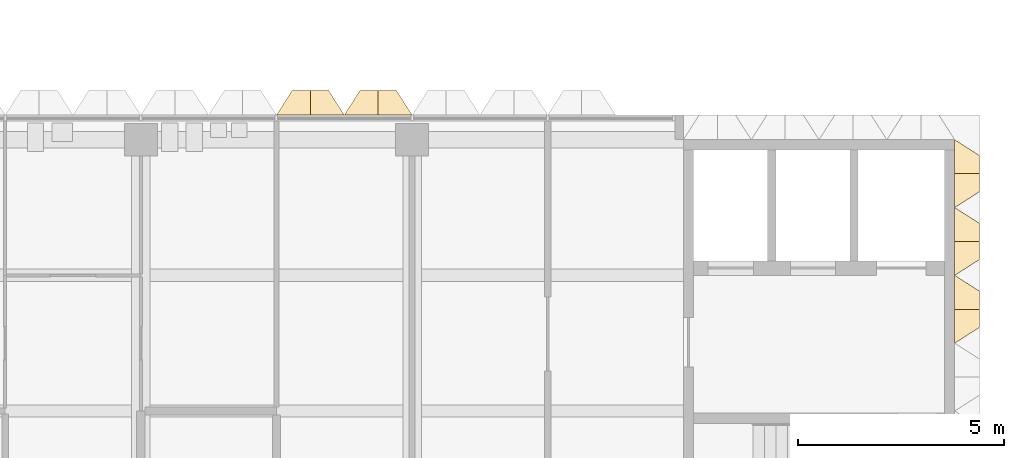
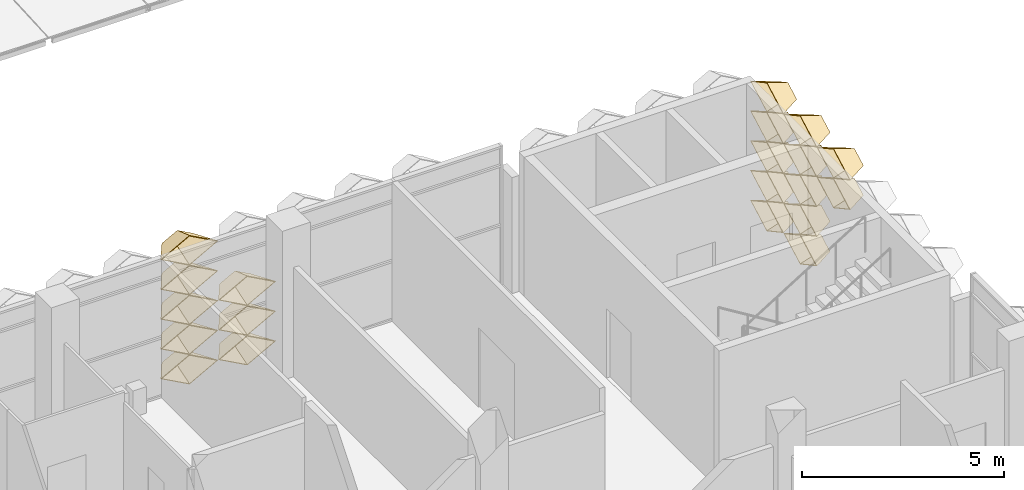
# One storey, part 55 of 61: 20 coverings.
"""IFC4 building model written with IfcOpenShell, lengths in metres."""

from ifc_helpers import new_model, entity, si_unit, direction, frame, origin, place, context, subcontext, project, spatial, material, layer, layer_set, type_object, element, save


model = new_model("IFC4")

# Units and contexts
model_context = context("Model", 3, precision=1e-05, world=origin(), true_north=direction((0.0, 1.0)))
body_context = subcontext(model_context, "Body", "Model", "MODEL_VIEW")
ifc_project = project(units=[si_unit("LENGTHUNIT", "METRE"), si_unit("AREAUNIT", "SQUARE_METRE"), si_unit("VOLUMEUNIT", "CUBIC_METRE"), si_unit("PLANEANGLEUNIT", "RADIAN"), si_unit("MASSUNIT", "GRAM", prefix="KILO")], contexts=[model_context])

# Site, building, storey
site_placement = place(None, origin())
site = spatial("IfcSite", under=ifc_project, at=site_placement, CompositionType="ELEMENT")
building_placement = place(site_placement, origin())
building = spatial("IfcBuilding", under=site, at=building_placement, Name="Lantern Court Research Institute", CompositionType="ELEMENT")
storey_placement = place(building_placement, frame((0.0, 0.0, 23.39990234375)))
storey = spatial("IfcBuildingStorey", under=building, at=storey_placement, Name="L05", CompositionType="ELEMENT", Elevation=23.39990234375)

# Coverings
ifc_material = material(Name="Anodised aluminium", Category="aluminium")
ifc_layer = layer(ifc_material, 0.01611328125)
ifc_layer_set = layer_set([ifc_layer], Name="Anodised aluminium")
covering_type = type_object("IfcCoveringType", Name="Fin cassette 1650 x 900 x 600 aluminium", PredefinedType="CLADDING", material=ifc_layer_set)
covering_1_placement = place(storey_placement, frame((79.199951171875, 20.625, 0.4501953125), z_axis=(1.0, 0.0, 0.0), x_axis=(0.0, 1.0, 0.0)))
cartesian_point_1 = entity("IfcCartesianPoint", [0.824951171875, 0.0])
cartesian_point_2 = entity("IfcCartesianPoint", [0.79150390625, 0.0])
cartesian_point_3 = entity("IfcCartesianPoint", [0.44189453125, 0.0])
cartesian_point_4 = entity("IfcCartesianPoint", [0.43359375, 0.0])
element("IfcCovering", 1, at=covering_1_placement, inside=storey, type_object=covering_type, Name="Fin cassette V5E-L05 1.13", PredefinedType="CLADDING", context=body_context, shape_type="SweptSolid", body=[
    entity("IfcExtrudedAreaSolidTapered", entity("IfcArbitraryProfileDefWithVoids", "AREA", None, entity("IfcPolyline", [cartesian_point_1, entity("IfcCartesianPoint", [0.0, 0.449951171875]), entity("IfcCartesianPoint", [-0.824951171875, 0.0]), entity("IfcCartesianPoint", [0.0, -0.449951171875]), cartesian_point_1]), [entity("IfcPolyline", [cartesian_point_2, entity("IfcCartesianPoint", [0.0, 0.431884765625]), entity("IfcCartesianPoint", [-0.79150390625, 0.0]), entity("IfcCartesianPoint", [0.0, -0.431884765625]), cartesian_point_2])]), entity("IfcAxis2Placement3D", entity("IfcCartesianPoint", [0.0, 0.0, 0.0])), entity("IfcDirection", [0.0, 0.0, 1.0]), 0.60009765625, entity("IfcArbitraryProfileDefWithVoids", "AREA", None, entity("IfcPolyline", [cartesian_point_3, entity("IfcCartesianPoint", [0.0, 0.240966796875]), entity("IfcCartesianPoint", [-0.44189453125, 0.0]), entity("IfcCartesianPoint", [0.0, -0.240966796875]), cartesian_point_3]), [entity("IfcPolyline", [cartesian_point_4, entity("IfcCartesianPoint", [0.0, 0.236572265625]), entity("IfcCartesianPoint", [-0.43359375, 0.0]), entity("IfcCartesianPoint", [0.0, -0.236572265625]), cartesian_point_4])])),
])
covering_2_placement = place(storey_placement, frame((79.199951171875, 22.27490234375, 0.4501953125), z_axis=(1.0, 0.0, 0.0), x_axis=(0.0, 1.0, 0.0)))
cartesian_point_5 = entity("IfcCartesianPoint", [0.824951171875, 0.0])
cartesian_point_6 = entity("IfcCartesianPoint", [0.79150390625, 0.0])
cartesian_point_7 = entity("IfcCartesianPoint", [0.44189453125, 0.0])
cartesian_point_8 = entity("IfcCartesianPoint", [0.43359375, 0.0])
element("IfcCovering", 2, at=covering_2_placement, inside=storey, type_object=covering_type, Name="Fin cassette V5E-L05 1.14", PredefinedType="CLADDING", context=body_context, shape_type="SweptSolid", body=[
    entity("IfcExtrudedAreaSolidTapered", entity("IfcArbitraryProfileDefWithVoids", "AREA", None, entity("IfcPolyline", [cartesian_point_5, entity("IfcCartesianPoint", [0.0, 0.449951171875]), entity("IfcCartesianPoint", [-0.824951171875, 0.0]), entity("IfcCartesianPoint", [0.0, -0.449951171875]), cartesian_point_5]), [entity("IfcPolyline", [cartesian_point_6, entity("IfcCartesianPoint", [0.0, 0.431884765625]), entity("IfcCartesianPoint", [-0.79150390625, 0.0]), entity("IfcCartesianPoint", [0.0, -0.431884765625]), cartesian_point_6])]), entity("IfcAxis2Placement3D", entity("IfcCartesianPoint", [0.0, 0.0, 0.0])), entity("IfcDirection", [0.0, 0.0, 1.0]), 0.60009765625, entity("IfcArbitraryProfileDefWithVoids", "AREA", None, entity("IfcPolyline", [cartesian_point_7, entity("IfcCartesianPoint", [0.0, 0.240966796875]), entity("IfcCartesianPoint", [-0.44189453125, 0.0]), entity("IfcCartesianPoint", [0.0, -0.240966796875]), cartesian_point_7]), [entity("IfcPolyline", [cartesian_point_8, entity("IfcCartesianPoint", [0.0, 0.236572265625]), entity("IfcCartesianPoint", [-0.43359375, 0.0]), entity("IfcCartesianPoint", [0.0, -0.236572265625]), cartesian_point_8])])),
])
covering_3_placement = place(storey_placement, frame((79.199951171875, 20.625, 1.35009765625), z_axis=(1.0, 0.0, 0.0), x_axis=(0.0, 1.0, 0.0)))
cartesian_point_9 = entity("IfcCartesianPoint", [0.824951171875, 0.0])
cartesian_point_10 = entity("IfcCartesianPoint", [0.79150390625, 0.0])
cartesian_point_11 = entity("IfcCartesianPoint", [0.44189453125, 0.0])
cartesian_point_12 = entity("IfcCartesianPoint", [0.43359375, 0.0])
element("IfcCovering", 3, at=covering_3_placement, inside=storey, type_object=covering_type, Name="Fin cassette V5E-L05 2.13", PredefinedType="CLADDING", context=body_context, shape_type="SweptSolid", body=[
    entity("IfcExtrudedAreaSolidTapered", entity("IfcArbitraryProfileDefWithVoids", "AREA", None, entity("IfcPolyline", [cartesian_point_9, entity("IfcCartesianPoint", [0.0, 0.449951171875]), entity("IfcCartesianPoint", [-0.824951171875, 0.0]), entity("IfcCartesianPoint", [0.0, -0.449951171875]), cartesian_point_9]), [entity("IfcPolyline", [cartesian_point_10, entity("IfcCartesianPoint", [0.0, 0.431884765625]), entity("IfcCartesianPoint", [-0.79150390625, 0.0]), entity("IfcCartesianPoint", [0.0, -0.431884765625]), cartesian_point_10])]), entity("IfcAxis2Placement3D", entity("IfcCartesianPoint", [0.0, 0.0, 0.0])), entity("IfcDirection", [0.0, 0.0, 1.0]), 0.60009765625, entity("IfcArbitraryProfileDefWithVoids", "AREA", None, entity("IfcPolyline", [cartesian_point_11, entity("IfcCartesianPoint", [0.0, 0.240966796875]), entity("IfcCartesianPoint", [-0.44189453125, 0.0]), entity("IfcCartesianPoint", [0.0, -0.240966796875]), cartesian_point_11]), [entity("IfcPolyline", [cartesian_point_12, entity("IfcCartesianPoint", [0.0, 0.236572265625]), entity("IfcCartesianPoint", [-0.43359375, 0.0]), entity("IfcCartesianPoint", [0.0, -0.236572265625]), cartesian_point_12])])),
])
covering_4_placement = place(storey_placement, frame((79.199951171875, 22.27490234375, 1.35009765625), z_axis=(1.0, 0.0, 0.0), x_axis=(0.0, 1.0, 0.0)))
cartesian_point_13 = entity("IfcCartesianPoint", [0.824951171875, 0.0])
cartesian_point_14 = entity("IfcCartesianPoint", [0.79150390625, 0.0])
cartesian_point_15 = entity("IfcCartesianPoint", [0.44189453125, 0.0])
cartesian_point_16 = entity("IfcCartesianPoint", [0.43359375, 0.0])
element("IfcCovering", 4, at=covering_4_placement, inside=storey, type_object=covering_type, Name="Fin cassette V5E-L05 2.14", PredefinedType="CLADDING", context=body_context, shape_type="SweptSolid", body=[
    entity("IfcExtrudedAreaSolidTapered", entity("IfcArbitraryProfileDefWithVoids", "AREA", None, entity("IfcPolyline", [cartesian_point_13, entity("IfcCartesianPoint", [0.0, 0.449951171875]), entity("IfcCartesianPoint", [-0.824951171875, 0.0]), entity("IfcCartesianPoint", [0.0, -0.449951171875]), cartesian_point_13]), [entity("IfcPolyline", [cartesian_point_14, entity("IfcCartesianPoint", [0.0, 0.431884765625]), entity("IfcCartesianPoint", [-0.79150390625, 0.0]), entity("IfcCartesianPoint", [0.0, -0.431884765625]), cartesian_point_14])]), entity("IfcAxis2Placement3D", entity("IfcCartesianPoint", [0.0, 0.0, 0.0])), entity("IfcDirection", [0.0, 0.0, 1.0]), 0.60009765625, entity("IfcArbitraryProfileDefWithVoids", "AREA", None, entity("IfcPolyline", [cartesian_point_15, entity("IfcCartesianPoint", [0.0, 0.240966796875]), entity("IfcCartesianPoint", [-0.44189453125, 0.0]), entity("IfcCartesianPoint", [0.0, -0.240966796875]), cartesian_point_15]), [entity("IfcPolyline", [cartesian_point_16, entity("IfcCartesianPoint", [0.0, 0.236572265625]), entity("IfcCartesianPoint", [-0.43359375, 0.0]), entity("IfcCartesianPoint", [0.0, -0.236572265625]), cartesian_point_16])])),
])
covering_5_placement = place(storey_placement, frame((79.199951171875, 20.625, 2.25), z_axis=(1.0, 0.0, 0.0), x_axis=(0.0, 1.0, 0.0)))
cartesian_point_17 = entity("IfcCartesianPoint", [0.824951171875, 0.0])
cartesian_point_18 = entity("IfcCartesianPoint", [0.79150390625, 0.0])
cartesian_point_19 = entity("IfcCartesianPoint", [0.44189453125, 0.0])
cartesian_point_20 = entity("IfcCartesianPoint", [0.43359375, 0.0])
element("IfcCovering", 5, at=covering_5_placement, inside=storey, type_object=covering_type, Name="Fin cassette V5E-L05 3.13", PredefinedType="CLADDING", context=body_context, shape_type="SweptSolid", body=[
    entity("IfcExtrudedAreaSolidTapered", entity("IfcArbitraryProfileDefWithVoids", "AREA", None, entity("IfcPolyline", [cartesian_point_17, entity("IfcCartesianPoint", [0.0, 0.449951171875]), entity("IfcCartesianPoint", [-0.824951171875, 0.0]), entity("IfcCartesianPoint", [0.0, -0.449951171875]), cartesian_point_17]), [entity("IfcPolyline", [cartesian_point_18, entity("IfcCartesianPoint", [0.0, 0.431884765625]), entity("IfcCartesianPoint", [-0.79150390625, 0.0]), entity("IfcCartesianPoint", [0.0, -0.431884765625]), cartesian_point_18])]), entity("IfcAxis2Placement3D", entity("IfcCartesianPoint", [0.0, 0.0, 0.0])), entity("IfcDirection", [0.0, 0.0, 1.0]), 0.60009765625, entity("IfcArbitraryProfileDefWithVoids", "AREA", None, entity("IfcPolyline", [cartesian_point_19, entity("IfcCartesianPoint", [0.0, 0.240966796875]), entity("IfcCartesianPoint", [-0.44189453125, 0.0]), entity("IfcCartesianPoint", [0.0, -0.240966796875]), cartesian_point_19]), [entity("IfcPolyline", [cartesian_point_20, entity("IfcCartesianPoint", [0.0, 0.236572265625]), entity("IfcCartesianPoint", [-0.43359375, 0.0]), entity("IfcCartesianPoint", [0.0, -0.236572265625]), cartesian_point_20])])),
])
covering_6_placement = place(storey_placement, frame((79.199951171875, 22.27490234375, 2.25), z_axis=(1.0, 0.0, 0.0), x_axis=(0.0, 1.0, 0.0)))
cartesian_point_21 = entity("IfcCartesianPoint", [0.824951171875, 0.0])
cartesian_point_22 = entity("IfcCartesianPoint", [0.79150390625, 0.0])
cartesian_point_23 = entity("IfcCartesianPoint", [0.44189453125, 0.0])
cartesian_point_24 = entity("IfcCartesianPoint", [0.43359375, 0.0])
element("IfcCovering", 6, at=covering_6_placement, inside=storey, type_object=covering_type, Name="Fin cassette V5E-L05 3.14", PredefinedType="CLADDING", context=body_context, shape_type="SweptSolid", body=[
    entity("IfcExtrudedAreaSolidTapered", entity("IfcArbitraryProfileDefWithVoids", "AREA", None, entity("IfcPolyline", [cartesian_point_21, entity("IfcCartesianPoint", [0.0, 0.449951171875]), entity("IfcCartesianPoint", [-0.824951171875, 0.0]), entity("IfcCartesianPoint", [0.0, -0.449951171875]), cartesian_point_21]), [entity("IfcPolyline", [cartesian_point_22, entity("IfcCartesianPoint", [0.0, 0.431884765625]), entity("IfcCartesianPoint", [-0.79150390625, 0.0]), entity("IfcCartesianPoint", [0.0, -0.431884765625]), cartesian_point_22])]), entity("IfcAxis2Placement3D", entity("IfcCartesianPoint", [0.0, 0.0, 0.0])), entity("IfcDirection", [0.0, 0.0, 1.0]), 0.60009765625, entity("IfcArbitraryProfileDefWithVoids", "AREA", None, entity("IfcPolyline", [cartesian_point_23, entity("IfcCartesianPoint", [0.0, 0.240966796875]), entity("IfcCartesianPoint", [-0.44189453125, 0.0]), entity("IfcCartesianPoint", [0.0, -0.240966796875]), cartesian_point_23]), [entity("IfcPolyline", [cartesian_point_24, entity("IfcCartesianPoint", [0.0, 0.236572265625]), entity("IfcCartesianPoint", [-0.43359375, 0.0]), entity("IfcCartesianPoint", [0.0, -0.236572265625]), cartesian_point_24])])),
])
covering_7_placement = place(storey_placement, frame((79.199951171875, 18.97509765625, 3.150146484375), z_axis=(1.0, 0.0, 0.0), x_axis=(0.0, 1.0, 0.0)))
cartesian_point_25 = entity("IfcCartesianPoint", [0.824951171875, 0.0])
cartesian_point_26 = entity("IfcCartesianPoint", [0.79150390625, 0.0])
cartesian_point_27 = entity("IfcCartesianPoint", [0.44189453125, 0.0])
cartesian_point_28 = entity("IfcCartesianPoint", [0.43359375, 0.0])
element("IfcCovering", 7, at=covering_7_placement, inside=storey, type_object=covering_type, Name="Fin cassette V5E-L05 4.12", PredefinedType="CLADDING", context=body_context, shape_type="SweptSolid", body=[
    entity("IfcExtrudedAreaSolidTapered", entity("IfcArbitraryProfileDefWithVoids", "AREA", None, entity("IfcPolyline", [cartesian_point_25, entity("IfcCartesianPoint", [0.0, 0.449951171875]), entity("IfcCartesianPoint", [-0.824951171875, 0.0]), entity("IfcCartesianPoint", [0.0, -0.449951171875]), cartesian_point_25]), [entity("IfcPolyline", [cartesian_point_26, entity("IfcCartesianPoint", [0.0, 0.431884765625]), entity("IfcCartesianPoint", [-0.79150390625, 0.0]), entity("IfcCartesianPoint", [0.0, -0.431884765625]), cartesian_point_26])]), entity("IfcAxis2Placement3D", entity("IfcCartesianPoint", [0.0, 0.0, 0.0])), entity("IfcDirection", [0.0, 0.0, 1.0]), 0.60009765625, entity("IfcArbitraryProfileDefWithVoids", "AREA", None, entity("IfcPolyline", [cartesian_point_27, entity("IfcCartesianPoint", [0.0, 0.240966796875]), entity("IfcCartesianPoint", [-0.44189453125, 0.0]), entity("IfcCartesianPoint", [0.0, -0.240966796875]), cartesian_point_27]), [entity("IfcPolyline", [cartesian_point_28, entity("IfcCartesianPoint", [0.0, 0.236572265625]), entity("IfcCartesianPoint", [-0.43359375, 0.0]), entity("IfcCartesianPoint", [0.0, -0.236572265625]), cartesian_point_28])])),
])
covering_8_placement = place(storey_placement, frame((79.199951171875, 20.625, 3.150146484375), z_axis=(1.0, 0.0, 0.0), x_axis=(0.0, 1.0, 0.0)))
cartesian_point_29 = entity("IfcCartesianPoint", [0.824951171875, 0.0])
cartesian_point_30 = entity("IfcCartesianPoint", [0.79150390625, 0.0])
cartesian_point_31 = entity("IfcCartesianPoint", [0.44189453125, 0.0])
cartesian_point_32 = entity("IfcCartesianPoint", [0.43359375, 0.0])
element("IfcCovering", 8, at=covering_8_placement, inside=storey, type_object=covering_type, Name="Fin cassette V5E-L05 4.13", PredefinedType="CLADDING", context=body_context, shape_type="SweptSolid", body=[
    entity("IfcExtrudedAreaSolidTapered", entity("IfcArbitraryProfileDefWithVoids", "AREA", None, entity("IfcPolyline", [cartesian_point_29, entity("IfcCartesianPoint", [0.0, 0.449951171875]), entity("IfcCartesianPoint", [-0.824951171875, 0.0]), entity("IfcCartesianPoint", [0.0, -0.449951171875]), cartesian_point_29]), [entity("IfcPolyline", [cartesian_point_30, entity("IfcCartesianPoint", [0.0, 0.431884765625]), entity("IfcCartesianPoint", [-0.79150390625, 0.0]), entity("IfcCartesianPoint", [0.0, -0.431884765625]), cartesian_point_30])]), entity("IfcAxis2Placement3D", entity("IfcCartesianPoint", [0.0, 0.0, 0.0])), entity("IfcDirection", [0.0, 0.0, 1.0]), 0.60009765625, entity("IfcArbitraryProfileDefWithVoids", "AREA", None, entity("IfcPolyline", [cartesian_point_31, entity("IfcCartesianPoint", [0.0, 0.240966796875]), entity("IfcCartesianPoint", [-0.44189453125, 0.0]), entity("IfcCartesianPoint", [0.0, -0.240966796875]), cartesian_point_31]), [entity("IfcPolyline", [cartesian_point_32, entity("IfcCartesianPoint", [0.0, 0.236572265625]), entity("IfcCartesianPoint", [-0.43359375, 0.0]), entity("IfcCartesianPoint", [0.0, -0.236572265625]), cartesian_point_32])])),
])
covering_9_placement = place(storey_placement, frame((79.199951171875, 22.27490234375, 3.150146484375), z_axis=(1.0, 0.0, 0.0), x_axis=(0.0, 1.0, 0.0)))
cartesian_point_33 = entity("IfcCartesianPoint", [0.824951171875, 0.0])
cartesian_point_34 = entity("IfcCartesianPoint", [0.79150390625, 0.0])
cartesian_point_35 = entity("IfcCartesianPoint", [0.44189453125, 0.0])
cartesian_point_36 = entity("IfcCartesianPoint", [0.43359375, 0.0])
element("IfcCovering", 9, at=covering_9_placement, inside=storey, type_object=covering_type, Name="Fin cassette V5E-L05 4.14", PredefinedType="CLADDING", context=body_context, shape_type="SweptSolid", body=[
    entity("IfcExtrudedAreaSolidTapered", entity("IfcArbitraryProfileDefWithVoids", "AREA", None, entity("IfcPolyline", [cartesian_point_33, entity("IfcCartesianPoint", [0.0, 0.449951171875]), entity("IfcCartesianPoint", [-0.824951171875, 0.0]), entity("IfcCartesianPoint", [0.0, -0.449951171875]), cartesian_point_33]), [entity("IfcPolyline", [cartesian_point_34, entity("IfcCartesianPoint", [0.0, 0.431884765625]), entity("IfcCartesianPoint", [-0.79150390625, 0.0]), entity("IfcCartesianPoint", [0.0, -0.431884765625]), cartesian_point_34])]), entity("IfcAxis2Placement3D", entity("IfcCartesianPoint", [0.0, 0.0, 0.0])), entity("IfcDirection", [0.0, 0.0, 1.0]), 0.60009765625, entity("IfcArbitraryProfileDefWithVoids", "AREA", None, entity("IfcPolyline", [cartesian_point_35, entity("IfcCartesianPoint", [0.0, 0.240966796875]), entity("IfcCartesianPoint", [-0.44189453125, 0.0]), entity("IfcCartesianPoint", [0.0, -0.240966796875]), cartesian_point_35]), [entity("IfcPolyline", [cartesian_point_36, entity("IfcCartesianPoint", [0.0, 0.236572265625]), entity("IfcCartesianPoint", [-0.43359375, 0.0]), entity("IfcCartesianPoint", [0.0, -0.236572265625]), cartesian_point_36])])),
])
covering_10_placement = place(storey_placement, frame((79.199951171875, 18.97509765625, 4.050048828125), z_axis=(1.0, 0.0, 0.0), x_axis=(0.0, 1.0, 0.0)))
cartesian_point_37 = entity("IfcCartesianPoint", [0.824951171875, 0.0])
cartesian_point_38 = entity("IfcCartesianPoint", [0.79150390625, 0.0])
cartesian_point_39 = entity("IfcCartesianPoint", [0.44189453125, 0.0])
cartesian_point_40 = entity("IfcCartesianPoint", [0.43359375, 0.0])
element("IfcCovering", 10, at=covering_10_placement, inside=storey, type_object=covering_type, Name="Fin cassette V5E-L05 5.12", PredefinedType="CLADDING", context=body_context, shape_type="SweptSolid", body=[
    entity("IfcExtrudedAreaSolidTapered", entity("IfcArbitraryProfileDefWithVoids", "AREA", None, entity("IfcPolyline", [cartesian_point_37, entity("IfcCartesianPoint", [0.0, 0.449951171875]), entity("IfcCartesianPoint", [-0.824951171875, 0.0]), entity("IfcCartesianPoint", [0.0, -0.449951171875]), cartesian_point_37]), [entity("IfcPolyline", [cartesian_point_38, entity("IfcCartesianPoint", [0.0, 0.431884765625]), entity("IfcCartesianPoint", [-0.79150390625, 0.0]), entity("IfcCartesianPoint", [0.0, -0.431884765625]), cartesian_point_38])]), entity("IfcAxis2Placement3D", entity("IfcCartesianPoint", [0.0, 0.0, 0.0])), entity("IfcDirection", [0.0, 0.0, 1.0]), 0.60009765625, entity("IfcArbitraryProfileDefWithVoids", "AREA", None, entity("IfcPolyline", [cartesian_point_39, entity("IfcCartesianPoint", [0.0, 0.240966796875]), entity("IfcCartesianPoint", [-0.44189453125, 0.0]), entity("IfcCartesianPoint", [0.0, -0.240966796875]), cartesian_point_39]), [entity("IfcPolyline", [cartesian_point_40, entity("IfcCartesianPoint", [0.0, 0.236572265625]), entity("IfcCartesianPoint", [-0.43359375, 0.0]), entity("IfcCartesianPoint", [0.0, -0.236572265625]), cartesian_point_40])])),
])
covering_11_placement = place(storey_placement, frame((79.199951171875, 20.625, 4.050048828125), z_axis=(1.0, 0.0, 0.0), x_axis=(0.0, 1.0, 0.0)))
cartesian_point_41 = entity("IfcCartesianPoint", [0.824951171875, 0.0])
cartesian_point_42 = entity("IfcCartesianPoint", [0.79150390625, 0.0])
cartesian_point_43 = entity("IfcCartesianPoint", [0.44189453125, 0.0])
cartesian_point_44 = entity("IfcCartesianPoint", [0.43359375, 0.0])
element("IfcCovering", 11, at=covering_11_placement, inside=storey, type_object=covering_type, Name="Fin cassette V5E-L05 5.13", PredefinedType="CLADDING", context=body_context, shape_type="SweptSolid", body=[
    entity("IfcExtrudedAreaSolidTapered", entity("IfcArbitraryProfileDefWithVoids", "AREA", None, entity("IfcPolyline", [cartesian_point_41, entity("IfcCartesianPoint", [0.0, 0.449951171875]), entity("IfcCartesianPoint", [-0.824951171875, 0.0]), entity("IfcCartesianPoint", [0.0, -0.449951171875]), cartesian_point_41]), [entity("IfcPolyline", [cartesian_point_42, entity("IfcCartesianPoint", [0.0, 0.431884765625]), entity("IfcCartesianPoint", [-0.79150390625, 0.0]), entity("IfcCartesianPoint", [0.0, -0.431884765625]), cartesian_point_42])]), entity("IfcAxis2Placement3D", entity("IfcCartesianPoint", [0.0, 0.0, 0.0])), entity("IfcDirection", [0.0, 0.0, 1.0]), 0.60009765625, entity("IfcArbitraryProfileDefWithVoids", "AREA", None, entity("IfcPolyline", [cartesian_point_43, entity("IfcCartesianPoint", [0.0, 0.240966796875]), entity("IfcCartesianPoint", [-0.44189453125, 0.0]), entity("IfcCartesianPoint", [0.0, -0.240966796875]), cartesian_point_43]), [entity("IfcPolyline", [cartesian_point_44, entity("IfcCartesianPoint", [0.0, 0.236572265625]), entity("IfcCartesianPoint", [-0.43359375, 0.0]), entity("IfcCartesianPoint", [0.0, -0.236572265625]), cartesian_point_44])])),
])
covering_12_placement = place(storey_placement, frame((79.199951171875, 22.27490234375, 4.050048828125), z_axis=(1.0, 0.0, 0.0), x_axis=(0.0, 1.0, 0.0)))
cartesian_point_45 = entity("IfcCartesianPoint", [0.824951171875, 0.0])
cartesian_point_46 = entity("IfcCartesianPoint", [0.79150390625, 0.0])
cartesian_point_47 = entity("IfcCartesianPoint", [0.44189453125, 0.0])
cartesian_point_48 = entity("IfcCartesianPoint", [0.43359375, 0.0])
element("IfcCovering", 12, at=covering_12_placement, inside=storey, type_object=covering_type, Name="Fin cassette V5E-L05 5.14", PredefinedType="CLADDING", context=body_context, shape_type="SweptSolid", body=[
    entity("IfcExtrudedAreaSolidTapered", entity("IfcArbitraryProfileDefWithVoids", "AREA", None, entity("IfcPolyline", [cartesian_point_45, entity("IfcCartesianPoint", [0.0, 0.449951171875]), entity("IfcCartesianPoint", [-0.824951171875, 0.0]), entity("IfcCartesianPoint", [0.0, -0.449951171875]), cartesian_point_45]), [entity("IfcPolyline", [cartesian_point_46, entity("IfcCartesianPoint", [0.0, 0.431884765625]), entity("IfcCartesianPoint", [-0.79150390625, 0.0]), entity("IfcCartesianPoint", [0.0, -0.431884765625]), cartesian_point_46])]), entity("IfcAxis2Placement3D", entity("IfcCartesianPoint", [0.0, 0.0, 0.0])), entity("IfcDirection", [0.0, 0.0, 1.0]), 0.60009765625, entity("IfcArbitraryProfileDefWithVoids", "AREA", None, entity("IfcPolyline", [cartesian_point_47, entity("IfcCartesianPoint", [0.0, 0.240966796875]), entity("IfcCartesianPoint", [-0.44189453125, 0.0]), entity("IfcCartesianPoint", [0.0, -0.240966796875]), cartesian_point_47]), [entity("IfcPolyline", [cartesian_point_48, entity("IfcCartesianPoint", [0.0, 0.236572265625]), entity("IfcCartesianPoint", [-0.43359375, 0.0]), entity("IfcCartesianPoint", [0.0, -0.236572265625]), cartesian_point_48])])),
])
covering_13_placement = place(storey_placement, frame((63.52490234375, 23.699951171875, 0.4501953125), z_axis=(0.0, 1.0, 0.0), x_axis=(-1.0, 0.0, 0.0)))
cartesian_point_49 = entity("IfcCartesianPoint", [0.824951171875, 0.0])
cartesian_point_50 = entity("IfcCartesianPoint", [0.79150390625, 0.0])
cartesian_point_51 = entity("IfcCartesianPoint", [0.44189453125, 0.0])
cartesian_point_52 = entity("IfcCartesianPoint", [0.43359375, 0.0])
element("IfcCovering", 13, at=covering_13_placement, inside=storey, type_object=covering_type, Name="Fin cassette V5N-L05 1.39", PredefinedType="CLADDING", context=body_context, shape_type="SweptSolid", body=[
    entity("IfcExtrudedAreaSolidTapered", entity("IfcArbitraryProfileDefWithVoids", "AREA", None, entity("IfcPolyline", [cartesian_point_49, entity("IfcCartesianPoint", [0.0, 0.449951171875]), entity("IfcCartesianPoint", [-0.824951171875, 0.0]), entity("IfcCartesianPoint", [0.0, -0.449951171875]), cartesian_point_49]), [entity("IfcPolyline", [cartesian_point_50, entity("IfcCartesianPoint", [0.0, 0.431884765625]), entity("IfcCartesianPoint", [-0.79150390625, 0.0]), entity("IfcCartesianPoint", [0.0, -0.431884765625]), cartesian_point_50])]), entity("IfcAxis2Placement3D", entity("IfcCartesianPoint", [0.0, 0.0, 0.0])), entity("IfcDirection", [0.0, 0.0, 1.0]), 0.60009765625, entity("IfcArbitraryProfileDefWithVoids", "AREA", None, entity("IfcPolyline", [cartesian_point_51, entity("IfcCartesianPoint", [0.0, 0.240966796875]), entity("IfcCartesianPoint", [-0.44189453125, 0.0]), entity("IfcCartesianPoint", [0.0, -0.240966796875]), cartesian_point_51]), [entity("IfcPolyline", [cartesian_point_52, entity("IfcCartesianPoint", [0.0, 0.236572265625]), entity("IfcCartesianPoint", [-0.43359375, 0.0]), entity("IfcCartesianPoint", [0.0, -0.236572265625]), cartesian_point_52])])),
])
covering_14_placement = place(storey_placement, frame((65.175048828125, 23.699951171875, 0.4501953125), z_axis=(0.0, 1.0, 0.0), x_axis=(-1.0, 0.0, 0.0)))
cartesian_point_53 = entity("IfcCartesianPoint", [0.824951171875, 0.0])
cartesian_point_54 = entity("IfcCartesianPoint", [0.79150390625, 0.0])
cartesian_point_55 = entity("IfcCartesianPoint", [0.44189453125, 0.0])
cartesian_point_56 = entity("IfcCartesianPoint", [0.43359375, 0.0])
element("IfcCovering", 14, at=covering_14_placement, inside=storey, type_object=covering_type, Name="Fin cassette V5N-L05 1.40", PredefinedType="CLADDING", context=body_context, shape_type="SweptSolid", body=[
    entity("IfcExtrudedAreaSolidTapered", entity("IfcArbitraryProfileDefWithVoids", "AREA", None, entity("IfcPolyline", [cartesian_point_53, entity("IfcCartesianPoint", [0.0, 0.449951171875]), entity("IfcCartesianPoint", [-0.824951171875, 0.0]), entity("IfcCartesianPoint", [0.0, -0.449951171875]), cartesian_point_53]), [entity("IfcPolyline", [cartesian_point_54, entity("IfcCartesianPoint", [0.0, 0.431884765625]), entity("IfcCartesianPoint", [-0.79150390625, 0.0]), entity("IfcCartesianPoint", [0.0, -0.431884765625]), cartesian_point_54])]), entity("IfcAxis2Placement3D", entity("IfcCartesianPoint", [0.0, 0.0, 0.0])), entity("IfcDirection", [0.0, 0.0, 1.0]), 0.60009765625, entity("IfcArbitraryProfileDefWithVoids", "AREA", None, entity("IfcPolyline", [cartesian_point_55, entity("IfcCartesianPoint", [0.0, 0.240966796875]), entity("IfcCartesianPoint", [-0.44189453125, 0.0]), entity("IfcCartesianPoint", [0.0, -0.240966796875]), cartesian_point_55]), [entity("IfcPolyline", [cartesian_point_56, entity("IfcCartesianPoint", [0.0, 0.236572265625]), entity("IfcCartesianPoint", [-0.43359375, 0.0]), entity("IfcCartesianPoint", [0.0, -0.236572265625]), cartesian_point_56])])),
])
covering_15_placement = place(storey_placement, frame((63.52490234375, 23.699951171875, 1.35009765625), z_axis=(0.0, 1.0, 0.0), x_axis=(-1.0, 0.0, 0.0)))
cartesian_point_57 = entity("IfcCartesianPoint", [0.824951171875, 0.0])
cartesian_point_58 = entity("IfcCartesianPoint", [0.79150390625, 0.0])
cartesian_point_59 = entity("IfcCartesianPoint", [0.44189453125, 0.0])
cartesian_point_60 = entity("IfcCartesianPoint", [0.43359375, 0.0])
element("IfcCovering", 15, at=covering_15_placement, inside=storey, type_object=covering_type, Name="Fin cassette V5N-L05 2.39", PredefinedType="CLADDING", context=body_context, shape_type="SweptSolid", body=[
    entity("IfcExtrudedAreaSolidTapered", entity("IfcArbitraryProfileDefWithVoids", "AREA", None, entity("IfcPolyline", [cartesian_point_57, entity("IfcCartesianPoint", [0.0, 0.449951171875]), entity("IfcCartesianPoint", [-0.824951171875, 0.0]), entity("IfcCartesianPoint", [0.0, -0.449951171875]), cartesian_point_57]), [entity("IfcPolyline", [cartesian_point_58, entity("IfcCartesianPoint", [0.0, 0.431884765625]), entity("IfcCartesianPoint", [-0.79150390625, 0.0]), entity("IfcCartesianPoint", [0.0, -0.431884765625]), cartesian_point_58])]), entity("IfcAxis2Placement3D", entity("IfcCartesianPoint", [0.0, 0.0, 0.0])), entity("IfcDirection", [0.0, 0.0, 1.0]), 0.60009765625, entity("IfcArbitraryProfileDefWithVoids", "AREA", None, entity("IfcPolyline", [cartesian_point_59, entity("IfcCartesianPoint", [0.0, 0.240966796875]), entity("IfcCartesianPoint", [-0.44189453125, 0.0]), entity("IfcCartesianPoint", [0.0, -0.240966796875]), cartesian_point_59]), [entity("IfcPolyline", [cartesian_point_60, entity("IfcCartesianPoint", [0.0, 0.236572265625]), entity("IfcCartesianPoint", [-0.43359375, 0.0]), entity("IfcCartesianPoint", [0.0, -0.236572265625]), cartesian_point_60])])),
])
covering_16_placement = place(storey_placement, frame((65.175048828125, 23.699951171875, 1.35009765625), z_axis=(0.0, 1.0, 0.0), x_axis=(-1.0, 0.0, 0.0)))
cartesian_point_61 = entity("IfcCartesianPoint", [0.824951171875, 0.0])
cartesian_point_62 = entity("IfcCartesianPoint", [0.79150390625, 0.0])
cartesian_point_63 = entity("IfcCartesianPoint", [0.44189453125, 0.0])
cartesian_point_64 = entity("IfcCartesianPoint", [0.43359375, 0.0])
element("IfcCovering", 16, at=covering_16_placement, inside=storey, type_object=covering_type, Name="Fin cassette V5N-L05 2.40", PredefinedType="CLADDING", context=body_context, shape_type="SweptSolid", body=[
    entity("IfcExtrudedAreaSolidTapered", entity("IfcArbitraryProfileDefWithVoids", "AREA", None, entity("IfcPolyline", [cartesian_point_61, entity("IfcCartesianPoint", [0.0, 0.449951171875]), entity("IfcCartesianPoint", [-0.824951171875, 0.0]), entity("IfcCartesianPoint", [0.0, -0.449951171875]), cartesian_point_61]), [entity("IfcPolyline", [cartesian_point_62, entity("IfcCartesianPoint", [0.0, 0.431884765625]), entity("IfcCartesianPoint", [-0.79150390625, 0.0]), entity("IfcCartesianPoint", [0.0, -0.431884765625]), cartesian_point_62])]), entity("IfcAxis2Placement3D", entity("IfcCartesianPoint", [0.0, 0.0, 0.0])), entity("IfcDirection", [0.0, 0.0, 1.0]), 0.60009765625, entity("IfcArbitraryProfileDefWithVoids", "AREA", None, entity("IfcPolyline", [cartesian_point_63, entity("IfcCartesianPoint", [0.0, 0.240966796875]), entity("IfcCartesianPoint", [-0.44189453125, 0.0]), entity("IfcCartesianPoint", [0.0, -0.240966796875]), cartesian_point_63]), [entity("IfcPolyline", [cartesian_point_64, entity("IfcCartesianPoint", [0.0, 0.236572265625]), entity("IfcCartesianPoint", [-0.43359375, 0.0]), entity("IfcCartesianPoint", [0.0, -0.236572265625]), cartesian_point_64])])),
])
covering_17_placement = place(storey_placement, frame((63.52490234375, 23.699951171875, 2.25), z_axis=(0.0, 1.0, 0.0), x_axis=(-1.0, 0.0, 0.0)))
cartesian_point_65 = entity("IfcCartesianPoint", [0.824951171875, 0.0])
cartesian_point_66 = entity("IfcCartesianPoint", [0.79150390625, 0.0])
cartesian_point_67 = entity("IfcCartesianPoint", [0.44189453125, 0.0])
cartesian_point_68 = entity("IfcCartesianPoint", [0.43359375, 0.0])
element("IfcCovering", 17, at=covering_17_placement, inside=storey, type_object=covering_type, Name="Fin cassette V5N-L05 3.39", PredefinedType="CLADDING", context=body_context, shape_type="SweptSolid", body=[
    entity("IfcExtrudedAreaSolidTapered", entity("IfcArbitraryProfileDefWithVoids", "AREA", None, entity("IfcPolyline", [cartesian_point_65, entity("IfcCartesianPoint", [0.0, 0.449951171875]), entity("IfcCartesianPoint", [-0.824951171875, 0.0]), entity("IfcCartesianPoint", [0.0, -0.449951171875]), cartesian_point_65]), [entity("IfcPolyline", [cartesian_point_66, entity("IfcCartesianPoint", [0.0, 0.431884765625]), entity("IfcCartesianPoint", [-0.79150390625, 0.0]), entity("IfcCartesianPoint", [0.0, -0.431884765625]), cartesian_point_66])]), entity("IfcAxis2Placement3D", entity("IfcCartesianPoint", [0.0, 0.0, 0.0])), entity("IfcDirection", [0.0, 0.0, 1.0]), 0.60009765625, entity("IfcArbitraryProfileDefWithVoids", "AREA", None, entity("IfcPolyline", [cartesian_point_67, entity("IfcCartesianPoint", [0.0, 0.240966796875]), entity("IfcCartesianPoint", [-0.44189453125, 0.0]), entity("IfcCartesianPoint", [0.0, -0.240966796875]), cartesian_point_67]), [entity("IfcPolyline", [cartesian_point_68, entity("IfcCartesianPoint", [0.0, 0.236572265625]), entity("IfcCartesianPoint", [-0.43359375, 0.0]), entity("IfcCartesianPoint", [0.0, -0.236572265625]), cartesian_point_68])])),
])
covering_18_placement = place(storey_placement, frame((65.175048828125, 23.699951171875, 2.25), z_axis=(0.0, 1.0, 0.0), x_axis=(-1.0, 0.0, 0.0)))
cartesian_point_69 = entity("IfcCartesianPoint", [0.824951171875, 0.0])
cartesian_point_70 = entity("IfcCartesianPoint", [0.79150390625, 0.0])
cartesian_point_71 = entity("IfcCartesianPoint", [0.44189453125, 0.0])
cartesian_point_72 = entity("IfcCartesianPoint", [0.43359375, 0.0])
element("IfcCovering", 18, at=covering_18_placement, inside=storey, type_object=covering_type, Name="Fin cassette V5N-L05 3.40", PredefinedType="CLADDING", context=body_context, shape_type="SweptSolid", body=[
    entity("IfcExtrudedAreaSolidTapered", entity("IfcArbitraryProfileDefWithVoids", "AREA", None, entity("IfcPolyline", [cartesian_point_69, entity("IfcCartesianPoint", [0.0, 0.449951171875]), entity("IfcCartesianPoint", [-0.824951171875, 0.0]), entity("IfcCartesianPoint", [0.0, -0.449951171875]), cartesian_point_69]), [entity("IfcPolyline", [cartesian_point_70, entity("IfcCartesianPoint", [0.0, 0.431884765625]), entity("IfcCartesianPoint", [-0.79150390625, 0.0]), entity("IfcCartesianPoint", [0.0, -0.431884765625]), cartesian_point_70])]), entity("IfcAxis2Placement3D", entity("IfcCartesianPoint", [0.0, 0.0, 0.0])), entity("IfcDirection", [0.0, 0.0, 1.0]), 0.60009765625, entity("IfcArbitraryProfileDefWithVoids", "AREA", None, entity("IfcPolyline", [cartesian_point_71, entity("IfcCartesianPoint", [0.0, 0.240966796875]), entity("IfcCartesianPoint", [-0.44189453125, 0.0]), entity("IfcCartesianPoint", [0.0, -0.240966796875]), cartesian_point_71]), [entity("IfcPolyline", [cartesian_point_72, entity("IfcCartesianPoint", [0.0, 0.236572265625]), entity("IfcCartesianPoint", [-0.43359375, 0.0]), entity("IfcCartesianPoint", [0.0, -0.236572265625]), cartesian_point_72])])),
])
covering_19_placement = place(storey_placement, frame((63.52490234375, 23.699951171875, 3.150146484375), z_axis=(0.0, 1.0, 0.0), x_axis=(-1.0, 0.0, 0.0)))
cartesian_point_73 = entity("IfcCartesianPoint", [0.824951171875, 0.0])
cartesian_point_74 = entity("IfcCartesianPoint", [0.79150390625, 0.0])
cartesian_point_75 = entity("IfcCartesianPoint", [0.44189453125, 0.0])
cartesian_point_76 = entity("IfcCartesianPoint", [0.43359375, 0.0])
element("IfcCovering", 19, at=covering_19_placement, inside=storey, type_object=covering_type, Name="Fin cassette V5N-L05 4.39", PredefinedType="CLADDING", context=body_context, shape_type="SweptSolid", body=[
    entity("IfcExtrudedAreaSolidTapered", entity("IfcArbitraryProfileDefWithVoids", "AREA", None, entity("IfcPolyline", [cartesian_point_73, entity("IfcCartesianPoint", [0.0, 0.449951171875]), entity("IfcCartesianPoint", [-0.824951171875, 0.0]), entity("IfcCartesianPoint", [0.0, -0.449951171875]), cartesian_point_73]), [entity("IfcPolyline", [cartesian_point_74, entity("IfcCartesianPoint", [0.0, 0.431884765625]), entity("IfcCartesianPoint", [-0.79150390625, 0.0]), entity("IfcCartesianPoint", [0.0, -0.431884765625]), cartesian_point_74])]), entity("IfcAxis2Placement3D", entity("IfcCartesianPoint", [0.0, 0.0, 0.0])), entity("IfcDirection", [0.0, 0.0, 1.0]), 0.60009765625, entity("IfcArbitraryProfileDefWithVoids", "AREA", None, entity("IfcPolyline", [cartesian_point_75, entity("IfcCartesianPoint", [0.0, 0.240966796875]), entity("IfcCartesianPoint", [-0.44189453125, 0.0]), entity("IfcCartesianPoint", [0.0, -0.240966796875]), cartesian_point_75]), [entity("IfcPolyline", [cartesian_point_76, entity("IfcCartesianPoint", [0.0, 0.236572265625]), entity("IfcCartesianPoint", [-0.43359375, 0.0]), entity("IfcCartesianPoint", [0.0, -0.236572265625]), cartesian_point_76])])),
])
covering_20_placement = place(storey_placement, frame((63.52490234375, 23.699951171875, 4.050048828125), z_axis=(0.0, 1.0, 0.0), x_axis=(-1.0, 0.0, 0.0)))
cartesian_point_77 = entity("IfcCartesianPoint", [0.824951171875, 0.0])
cartesian_point_78 = entity("IfcCartesianPoint", [0.79150390625, 0.0])
cartesian_point_79 = entity("IfcCartesianPoint", [0.44189453125, 0.0])
cartesian_point_80 = entity("IfcCartesianPoint", [0.43359375, 0.0])
element("IfcCovering", 20, at=covering_20_placement, inside=storey, type_object=covering_type, Name="Fin cassette V5N-L05 5.39", PredefinedType="CLADDING", context=body_context, shape_type="SweptSolid", body=[
    entity("IfcExtrudedAreaSolidTapered", entity("IfcArbitraryProfileDefWithVoids", "AREA", None, entity("IfcPolyline", [cartesian_point_77, entity("IfcCartesianPoint", [0.0, 0.449951171875]), entity("IfcCartesianPoint", [-0.824951171875, 0.0]), entity("IfcCartesianPoint", [0.0, -0.449951171875]), cartesian_point_77]), [entity("IfcPolyline", [cartesian_point_78, entity("IfcCartesianPoint", [0.0, 0.431884765625]), entity("IfcCartesianPoint", [-0.79150390625, 0.0]), entity("IfcCartesianPoint", [0.0, -0.431884765625]), cartesian_point_78])]), entity("IfcAxis2Placement3D", entity("IfcCartesianPoint", [0.0, 0.0, 0.0])), entity("IfcDirection", [0.0, 0.0, 1.0]), 0.60009765625, entity("IfcArbitraryProfileDefWithVoids", "AREA", None, entity("IfcPolyline", [cartesian_point_79, entity("IfcCartesianPoint", [0.0, 0.240966796875]), entity("IfcCartesianPoint", [-0.44189453125, 0.0]), entity("IfcCartesianPoint", [0.0, -0.240966796875]), cartesian_point_79]), [entity("IfcPolyline", [cartesian_point_80, entity("IfcCartesianPoint", [0.0, 0.236572265625]), entity("IfcCartesianPoint", [-0.43359375, 0.0]), entity("IfcCartesianPoint", [0.0, -0.236572265625]), cartesian_point_80])])),
])

save(model, "model.ifc")
